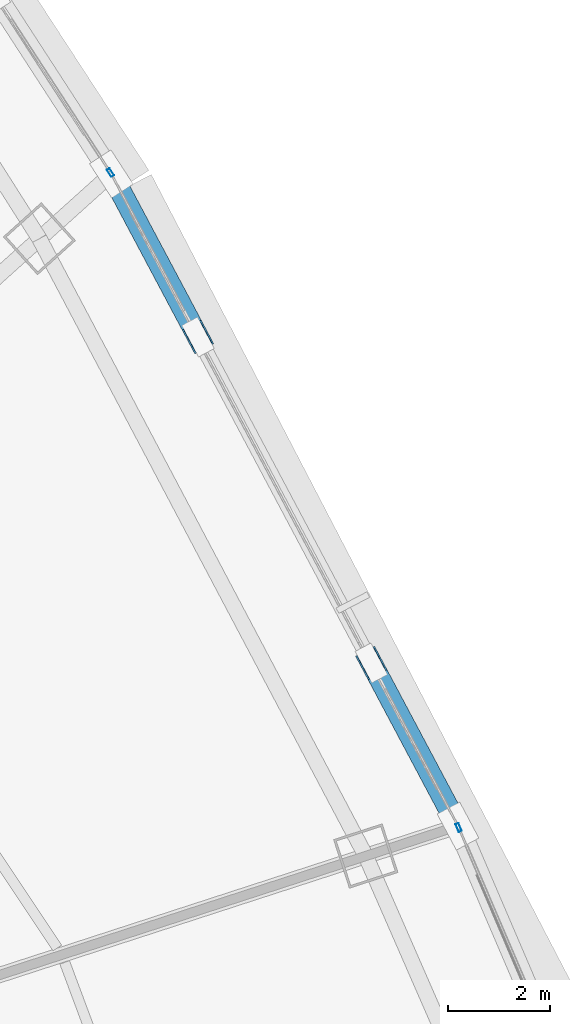
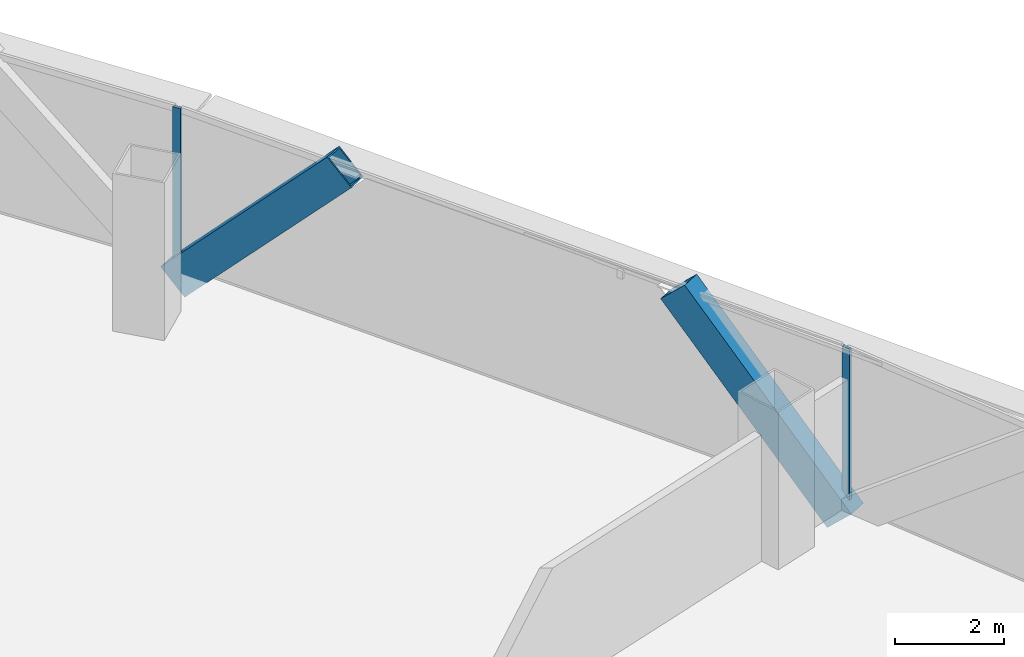
# One storey, part 24 of 39: 4 members, 2 elements without a shape of their own.
"""IFC4 building model written with IfcOpenShell, lengths in metres."""

from ifc_helpers import new_model, si_unit, direction, frame, origin, origin_2d, place, context, subcontext, project, spatial, hollow_rectangle, extrude, source, transform, mapped, material, layer, layer_set, material_profile, profile_set, type_object, element, aggregate, save


model = new_model("IFC4")

# Units and contexts
model_context = context("Model", 3, precision=1e-05, world=origin(), true_north=direction((0.0, 1.0)))
body_context = subcontext(model_context, "Body", "Model", "MODEL_VIEW")
ifc_project = project(units=[si_unit("LENGTHUNIT", "METRE"), si_unit("AREAUNIT", "SQUARE_METRE"), si_unit("VOLUMEUNIT", "CUBIC_METRE"), si_unit("PLANEANGLEUNIT", "RADIAN"), si_unit("MASSUNIT", "GRAM", prefix="KILO"), si_unit("THERMODYNAMICTEMPERATUREUNIT", "KELVIN"), si_unit("POWERUNIT", "WATT")], contexts=[model_context])

# Site, building, storey
site_placement = place(None, origin())
site = spatial("IfcSite", under=ifc_project, at=site_placement, CompositionType="ELEMENT")
building_placement = place(site_placement, origin())
building = spatial("IfcBuilding", under=site, at=building_placement, Name="Yunzhuo Pagoda Commons", CompositionType="ELEMENT")
storey_placement = place(building_placement, frame((0.0, 0.0, 96.3798828125)))
storey = spatial("IfcBuildingStorey", under=building, at=storey_placement, Name="L24", CompositionType="ELEMENT", Elevation=96.3798828125)

# Members
ifc_material_1 = material(Name="Structural steel Q420B", Category="steel")
ifc_material_profile_1 = material_profile(ifc_material_1, hollow_rectangle(XDim=0.419921875, YDim=0.719970703125, WallThickness=0.028076171875, at=origin_2d()), Name="Structural steel Q420B")
ifc_profile_set_1 = profile_set([ifc_material_profile_1], Name="Structural steel Q420B")
member_type_1 = type_object("IfcMemberType", Name="M-DL1 Brace BOX 720x420x28", PredefinedType="BRACE", material=ifc_profile_set_1)
shared_shape_1 = source(origin(), body_context, "Body", "SweptSolid", [
    extrude(hollow_rectangle(XDim=0.419921875, YDim=0.719970703125, WallThickness=0.028076171875, at=origin_2d()), origin(), (0.0, 0.0, 1.0), 5.243896484375),
])
for number, where, z_axis, x_axis, name in (
    (1, (80.79638671875, 44.356201171875, -0.259765625), (-0.323482161741, 0.608507751, 0.724622389944), (-0.882987979283, -0.469395599086, 0.0), "L24 facade diamond brace F2.2L"),
    (2, (74.0107421875, 57.1201171875, -0.259765625), (0.323482161741, -0.608507751, 0.724622389944), (0.882987979283, 0.469395599086, 0.0), "L24 facade diamond brace F2.2R"),
):
    element("IfcMember", number, at=place(storey_placement, frame(where, z_axis=z_axis, x_axis=x_axis)), inside=storey, type_object=member_type_1, Name=name, PredefinedType="BRACE", context=body_context, shape_type="MappedRepresentation", body=[
        mapped(shared_shape_1, transform((0.0, 0.0, 0.0), scale=1.0)),
    ])

# Curtain wall, member
ifc_material_2 = material(Name="Anodized aluminium 6063-T6", Category="aluminium")
ifc_layer = layer(ifc_material_2, 0.1650390625)
ifc_layer_set = layer_set([ifc_layer], Name="Anodized aluminium 6063-T6")
curtain_wall_type = type_object("IfcCurtainWallType", Name="CW-LOW Low-Zone Ribbon Curtain Wall", PredefinedType="NOTDEFINED", material=ifc_layer_set)
curtain_wall_1_placement = place(storey_placement, origin())
curtain_wall_1 = element("IfcCurtainWall", 3, at=curtain_wall_1_placement, inside=storey, type_object=curtain_wall_type, Name="L24 curtain wall CW-L24-F2B2", PredefinedType="NOTDEFINED")
ifc_material_profile_2 = material_profile(ifc_material_2, hollow_rectangle(XDim=0.06494140625, YDim=0.1650390625, WallThickness=0.00390625, at=origin_2d()), Name="Anodized aluminium 6063-T6")
ifc_profile_set_2 = profile_set([ifc_material_profile_2], Name="Anodized aluminium 6063-T6")
member_type_2 = type_object("IfcMemberType", Name="CW-LOW-M Mullion RHS 165x65x4", PredefinedType="MULLION", material=ifc_profile_set_2)
shared_shape_2 = source(origin(), body_context, "Body", "SweptSolid", [
    extrude(hollow_rectangle(XDim=0.06494140625, YDim=0.1650390625, WallThickness=0.00390625, at=origin_2d()), origin(), (0.0, 0.0, 1.0), 3.5400390625),
])
member_1_placement = place(storey_placement, frame((80.80908203125, 44.326416015625, 0.0), z_axis=(0.0, 0.0, 1.0), x_axis=(-0.919382894415, -0.393363818185, 0.0)))
member_1 = element("IfcMember", 4, at=member_1_placement, type_object=member_type_2, Name="CW mullion 2", PredefinedType="MULLION", context=body_context, shape_type="MappedRepresentation", body=[
    mapped(shared_shape_2, transform((0.0, 0.0, 0.0), scale=1.0)),
])
aggregate(curtain_wall_1, [member_1])

curtain_wall_2_placement = place(storey_placement, origin())
curtain_wall_2 = element("IfcCurtainWall", 5, at=curtain_wall_2_placement, inside=storey, type_object=curtain_wall_type, Name="L24 curtain wall CW-L24-F2B4", PredefinedType="NOTDEFINED")
member_2_placement = place(storey_placement, frame((73.992919921875, 57.1474609375, 0.0), z_axis=(0.0, 0.0, 1.0), x_axis=(-0.838972259493, -0.544174188841, 0.0)))
member_2 = element("IfcMember", 6, at=member_2_placement, type_object=member_type_2, Name="CW mullion 1", PredefinedType="MULLION", context=body_context, shape_type="MappedRepresentation", body=[
    mapped(shared_shape_2, transform((0.0, 0.0, 0.0), scale=1.0)),
])
aggregate(curtain_wall_2, [member_2])

save(model, "model.ifc")
